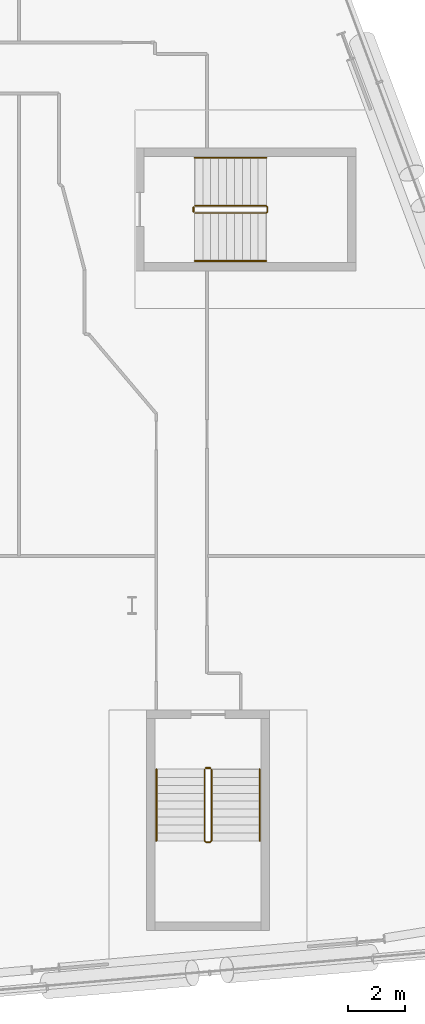
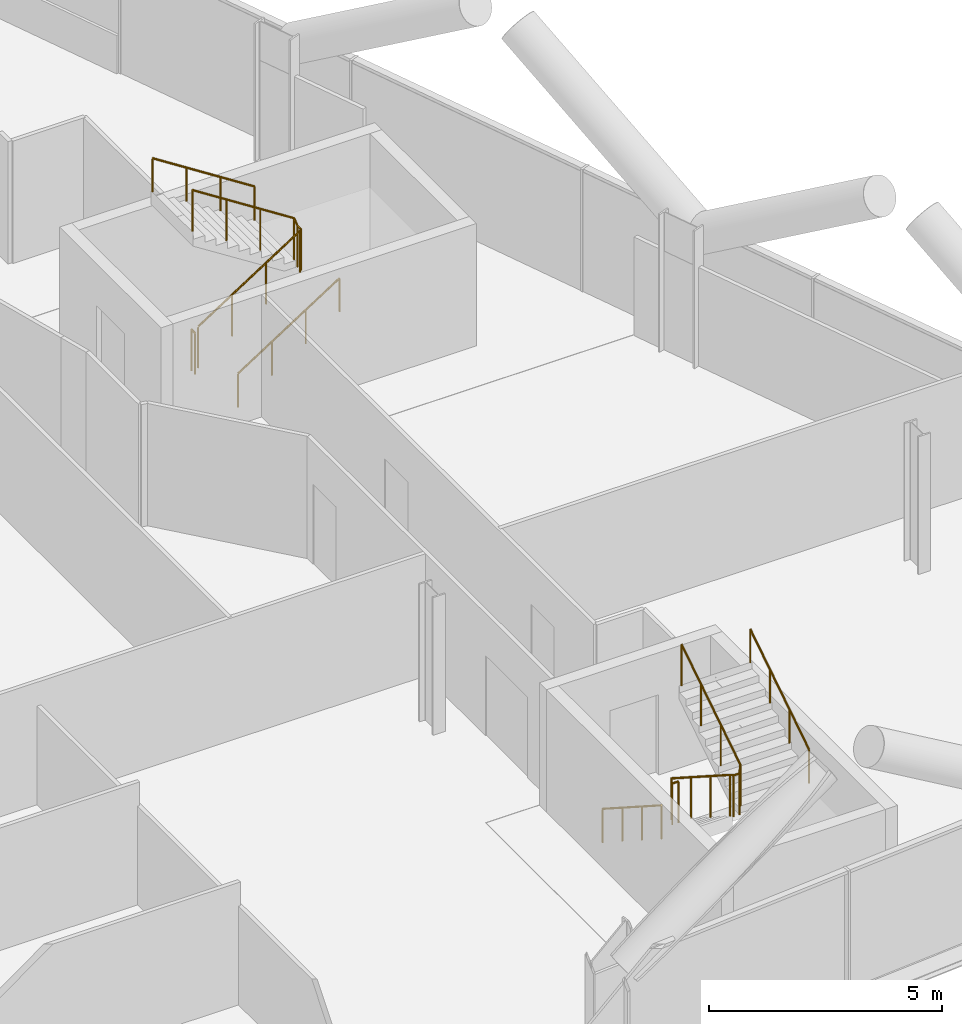
# One storey, part 27 of 27: 8 railings.
"""IFC4 building model written with IfcOpenShell, lengths in metres."""

from ifc_helpers import new_model, si_unit, direction, frame, origin, origin_2d, place, context, subcontext, project, spatial, circle, extrude, material, type_object, element, save


model = new_model("IFC4")

# Units and contexts
model_context = context("Model", 3, precision=1e-05, world=origin(), true_north=direction((0.0, 1.0)))
body_context = subcontext(model_context, "Body", "Model", "MODEL_VIEW")
ifc_project = project(units=[si_unit("LENGTHUNIT", "METRE"), si_unit("AREAUNIT", "SQUARE_METRE"), si_unit("VOLUMEUNIT", "CUBIC_METRE"), si_unit("PLANEANGLEUNIT", "RADIAN"), si_unit("MASSUNIT", "GRAM", prefix="KILO")], contexts=[model_context])

# Site, building, storey
site_placement = place(None, origin())
site = spatial("IfcSite", under=ifc_project, at=site_placement, CompositionType="ELEMENT")
building_placement = place(site_placement, origin())
building = spatial("IfcBuilding", under=site, at=building_placement, Name="Wharfspan Tower", CompositionType="ELEMENT")
storey_placement = place(building_placement, frame((0.0, 0.0, 81.100098)))
storey = spatial("IfcBuildingStorey", under=building, at=storey_placement, Name="L17", CompositionType="ELEMENT", Elevation=81.100098)

# Railings
ifc_material = material(Name="Steel S355J2", Category="steel")
railing_type_1 = type_object("IfcRailingType", Name="Stair guard 1100", PredefinedType="GUARDRAIL", material=ifc_material)
railing_1_placement = place(storey_placement, frame((74.567383, 5.691895, 0.179932)))
element("IfcRailing", 1, at=railing_1_placement, inside=storey, type_object=railing_type_1, Name="L17 ST5 stair guard 1", PredefinedType="GUARDRAIL", context=body_context, shape_type="SweptSolid", body=[
    extrude(circle(Radius=0.023926, at=origin_2d()), frame((0.0, 0.0, 1.076172), z_axis=(0.0, -0.841176, 0.540762), x_axis=(1.0, 0.0, 0.0)), (0.0, 0.0, 1.0), 2.995605),
    extrude(circle(Radius=0.023926, at=origin_2d()), frame((0.0, -2.519775, 2.695801), z_axis=(0.707107, -0.707107, 0.0), x_axis=(0.707107, 0.707107, 0.0)), (0.0, 0.0, 1.0), 0.070801),
    extrude(circle(Radius=0.023926, at=origin_2d()), frame((0.050049, -2.569824, 2.695801), z_axis=(1.0, 0.0, 0.0), x_axis=(0.0, 1.0, 0.0)), (0.0, 0.0, 1.0), 0.150146),
    extrude(circle(Radius=0.023926, at=origin_2d()), frame((0.200195, -2.569824, 2.695801), z_axis=(0.257366, 0.258628, 0.931061), x_axis=(-0.708838, 0.705372, 2e-06)), (0.0, 0.0, 1.0), 0.193604),
    extrude(circle(Radius=0.023926, at=origin_2d()), frame((0.25, -2.519775, 2.875977), z_axis=(0.0, 0.841176, 0.540762), x_axis=(-1.0, 0.0, 0.0)), (0.0, 0.0, 1.0), 2.995605),
    extrude(circle(Radius=0.020996, at=origin_2d()), origin(), (0.0, 0.0, 1.0), 1.052002),
    extrude(circle(Radius=0.020996, at=origin_2d()), frame((0.0, -0.839844, 0.540039)), (0.0, 0.0, 1.0), 1.052002),
    extrude(circle(Radius=0.020996, at=origin_2d()), frame((0.0, -1.679932, 1.079834)), (0.0, 0.0, 1.0), 1.052002),
    extrude(circle(Radius=0.020996, at=origin_2d()), frame((0.0, -2.519775, 1.619873)), (0.0, 0.0, 1.0), 1.052002),
    extrude(circle(Radius=0.020996, at=origin_2d()), frame((0.050049, -2.569824, 1.619873)), (0.0, 0.0, 1.0), 1.052002),
    extrude(circle(Radius=0.020996, at=origin_2d()), frame((0.200195, -2.569824, 1.619873)), (0.0, 0.0, 1.0), 1.052002),
    extrude(circle(Radius=0.020996, at=origin_2d()), frame((0.25, -2.519775, 1.800049)), (0.0, 0.0, 1.0), 1.052002),
    extrude(circle(Radius=0.020996, at=origin_2d()), frame((0.25, -1.679932, 2.340088)), (0.0, 0.0, 1.0), 1.052002),
    extrude(circle(Radius=0.020996, at=origin_2d()), frame((0.25, -0.839844, 2.879883)), (0.0, 0.0, 1.0), 1.052002),
    extrude(circle(Radius=0.020996, at=origin_2d()), frame((0.25, 0.0, 3.419922)), (0.0, 0.0, 1.0), 1.052002),
])
railing_2_placement = place(storey_placement, frame((74.617432, 5.741943, 0.0)))
element("IfcRailing", 2, at=railing_2_placement, inside=storey, type_object=railing_type_1, Name="L17 ST5 stair guard 2", PredefinedType="GUARDRAIL", context=body_context, shape_type="SweptSolid", body=[
    extrude(circle(Radius=0.023926, at=origin_2d()), frame((0.0, 0.0, 1.076172), z_axis=(1.0, 0.0, 0.0), x_axis=(0.0, 1.0, 0.0)), (0.0, 0.0, 1.0), 0.150146),
    extrude(circle(Radius=0.020996, at=origin_2d()), origin(), (0.0, 0.0, 1.0), 1.052002),
    extrude(circle(Radius=0.020996, at=origin_2d()), frame((0.150146, 0.0, 0.0)), (0.0, 0.0, 1.0), 1.052002),
])
railing_3_placement = place(storey_placement, frame((74.225098, 25.375, 0.179932)))
element("IfcRailing", 3, at=railing_3_placement, inside=storey, type_object=railing_type_1, Name="L17 ST6 stair guard 1", PredefinedType="GUARDRAIL", context=body_context, shape_type="SweptSolid", body=[
    extrude(circle(Radius=0.023926, at=origin_2d()), frame((0.0, 0.0, 1.076172), z_axis=(0.8412, 0.0, 0.540725), x_axis=(0.0, 1.0, 0.0)), (0.0, 0.0, 1.0), 2.99585),
    extrude(circle(Radius=0.023926, at=origin_2d()), frame((2.52002, 0.0, 2.695801), z_axis=(0.705376, 0.708834, 0.0), x_axis=(-0.708834, 0.705376, 0.0)), (0.0, 0.0, 1.0), 0.070557),
    extrude(circle(Radius=0.023926, at=origin_2d()), frame((2.569824, 0.050049, 2.695801), z_axis=(0.0, 1.0, 0.0), x_axis=(-1.0, 0.0, 0.0)), (0.0, 0.0, 1.0), 0.149902),
    extrude(circle(Radius=0.023926, at=origin_2d()), frame((2.569824, 0.199951, 2.695801), z_axis=(-0.257366, 0.258628, 0.931061), x_axis=(-0.708838, -0.705372, -2e-06)), (0.0, 0.0, 1.0), 0.193604),
    extrude(circle(Radius=0.023926, at=origin_2d()), frame((2.52002, 0.25, 2.875977), z_axis=(-0.8412, 0.0, 0.540725), x_axis=(0.0, -1.0, 0.0)), (0.0, 0.0, 1.0), 2.99585),
    extrude(circle(Radius=0.020996, at=origin_2d()), origin(), (0.0, 0.0, 1.0), 1.052002),
    extrude(circle(Radius=0.020996, at=origin_2d()), frame((0.840088, 0.0, 0.540039)), (0.0, 0.0, 1.0), 1.052002),
    extrude(circle(Radius=0.020996, at=origin_2d()), frame((1.679932, 0.0, 1.079834)), (0.0, 0.0, 1.0), 1.052002),
    extrude(circle(Radius=0.020996, at=origin_2d()), frame((2.52002, 0.0, 1.619873)), (0.0, 0.0, 1.0), 1.052002),
    extrude(circle(Radius=0.020996, at=origin_2d()), frame((2.569824, 0.050049, 1.619873)), (0.0, 0.0, 1.0), 1.052002),
    extrude(circle(Radius=0.020996, at=origin_2d()), frame((2.569824, 0.199951, 1.619873)), (0.0, 0.0, 1.0), 1.052002),
    extrude(circle(Radius=0.020996, at=origin_2d()), frame((2.52002, 0.25, 1.800049)), (0.0, 0.0, 1.0), 1.052002),
    extrude(circle(Radius=0.020996, at=origin_2d()), frame((1.679932, 0.25, 2.340088)), (0.0, 0.0, 1.0), 1.052002),
    extrude(circle(Radius=0.020996, at=origin_2d()), frame((0.840088, 0.25, 2.879883)), (0.0, 0.0, 1.0), 1.052002),
    extrude(circle(Radius=0.020996, at=origin_2d()), frame((0.0, 0.25, 3.419922)), (0.0, 0.0, 1.0), 1.052002),
])
railing_4_placement = place(storey_placement, frame((74.175049, 25.425049, 0.0)))
element("IfcRailing", 4, at=railing_4_placement, inside=storey, type_object=railing_type_1, Name="L17 ST6 stair guard 2", PredefinedType="GUARDRAIL", context=body_context, shape_type="SweptSolid", body=[
    extrude(circle(Radius=0.023926, at=origin_2d()), frame((0.0, 0.0, 1.076172), z_axis=(0.0, 1.0, 0.0), x_axis=(-1.0, 0.0, 0.0)), (0.0, 0.0, 1.0), 0.149902),
    extrude(circle(Radius=0.020996, at=origin_2d()), origin(), (0.0, 0.0, 1.0), 1.052002),
    extrude(circle(Radius=0.020996, at=origin_2d()), frame((0.0, 0.149902, 0.0)), (0.0, 0.0, 1.0), 1.052002),
])
railing_type_2 = type_object("IfcRailingType", Name="Stair handrail 900", PredefinedType="HANDRAIL", material=ifc_material)
railing_5_placement = place(storey_placement, frame((72.867432, 5.691895, 0.179932)))
element("IfcRailing", 5, at=railing_5_placement, inside=storey, type_object=railing_type_2, Name="L17 ST5 stair handrail 1", PredefinedType="HANDRAIL", context=body_context, shape_type="SweptSolid", body=[
    extrude(circle(Radius=0.023926, at=origin_2d()), frame((0.0, 0.0, 0.875977), z_axis=(0.0, -0.841176, 0.540762), x_axis=(1.0, 0.0, 0.0)), (0.0, 0.0, 1.0), 2.995605),
    extrude(circle(Radius=0.020996, at=origin_2d()), origin(), (0.0, 0.0, 1.0), 0.851807),
    extrude(circle(Radius=0.020996, at=origin_2d()), frame((0.0, -0.839844, 0.540039)), (0.0, 0.0, 1.0), 0.851807),
    extrude(circle(Radius=0.020996, at=origin_2d()), frame((0.0, -1.679932, 1.079834)), (0.0, 0.0, 1.0), 0.851807),
    extrude(circle(Radius=0.020996, at=origin_2d()), frame((0.0, -2.519775, 1.619873)), (0.0, 0.0, 1.0), 0.851807),
])
railing_6_placement = place(storey_placement, frame((76.517578, 3.172119, 1.97998)))
element("IfcRailing", 6, at=railing_6_placement, inside=storey, type_object=railing_type_2, Name="L17 ST5 stair handrail 2", PredefinedType="HANDRAIL", context=body_context, shape_type="SweptSolid", body=[
    extrude(circle(Radius=0.023926, at=origin_2d()), frame((0.0, 0.0, 0.875977), z_axis=(0.0, 0.841176, 0.540762), x_axis=(-1.0, 0.0, 0.0)), (0.0, 0.0, 1.0), 2.995605),
    extrude(circle(Radius=0.020996, at=origin_2d()), origin(), (0.0, 0.0, 1.0), 0.851807),
    extrude(circle(Radius=0.020996, at=origin_2d()), frame((0.0, 0.839844, 0.540039)), (0.0, 0.0, 1.0), 0.851807),
    extrude(circle(Radius=0.020996, at=origin_2d()), frame((0.0, 1.679932, 1.079834)), (0.0, 0.0, 1.0), 0.851807),
    extrude(circle(Radius=0.020996, at=origin_2d()), frame((0.0, 2.519775, 1.619873)), (0.0, 0.0, 1.0), 0.851807),
])
railing_7_placement = place(storey_placement, frame((74.225098, 23.675049, 0.179932)))
element("IfcRailing", 7, at=railing_7_placement, inside=storey, type_object=railing_type_2, Name="L17 ST6 stair handrail 1", PredefinedType="HANDRAIL", context=body_context, shape_type="SweptSolid", body=[
    extrude(circle(Radius=0.023926, at=origin_2d()), frame((0.0, 0.0, 0.875977), z_axis=(0.8412, 0.0, 0.540725), x_axis=(0.0, 1.0, 0.0)), (0.0, 0.0, 1.0), 2.99585),
    extrude(circle(Radius=0.020996, at=origin_2d()), origin(), (0.0, 0.0, 1.0), 0.851807),
    extrude(circle(Radius=0.020996, at=origin_2d()), frame((0.840088, 0.0, 0.540039)), (0.0, 0.0, 1.0), 0.851807),
    extrude(circle(Radius=0.020996, at=origin_2d()), frame((1.679932, 0.0, 1.079834)), (0.0, 0.0, 1.0), 0.851807),
    extrude(circle(Radius=0.020996, at=origin_2d()), frame((2.52002, 0.0, 1.619873)), (0.0, 0.0, 1.0), 0.851807),
])
railing_8_placement = place(storey_placement, frame((76.745117, 27.324951, 1.97998)))
element("IfcRailing", 8, at=railing_8_placement, inside=storey, type_object=railing_type_2, Name="L17 ST6 stair handrail 2", PredefinedType="HANDRAIL", context=body_context, shape_type="SweptSolid", body=[
    extrude(circle(Radius=0.023926, at=origin_2d()), frame((0.0, 0.0, 0.875977), z_axis=(-0.8412, 0.0, 0.540725), x_axis=(0.0, -1.0, 0.0)), (0.0, 0.0, 1.0), 2.99585),
    extrude(circle(Radius=0.020996, at=origin_2d()), origin(), (0.0, 0.0, 1.0), 0.851807),
    extrude(circle(Radius=0.020996, at=origin_2d()), frame((-0.840088, 0.0, 0.540039)), (0.0, 0.0, 1.0), 0.851807),
    extrude(circle(Radius=0.020996, at=origin_2d()), frame((-1.679932, 0.0, 1.079834)), (0.0, 0.0, 1.0), 0.851807),
    extrude(circle(Radius=0.020996, at=origin_2d()), frame((-2.52002, 0.0, 1.619873)), (0.0, 0.0, 1.0), 0.851807),
])

save(model, "model.ifc")
